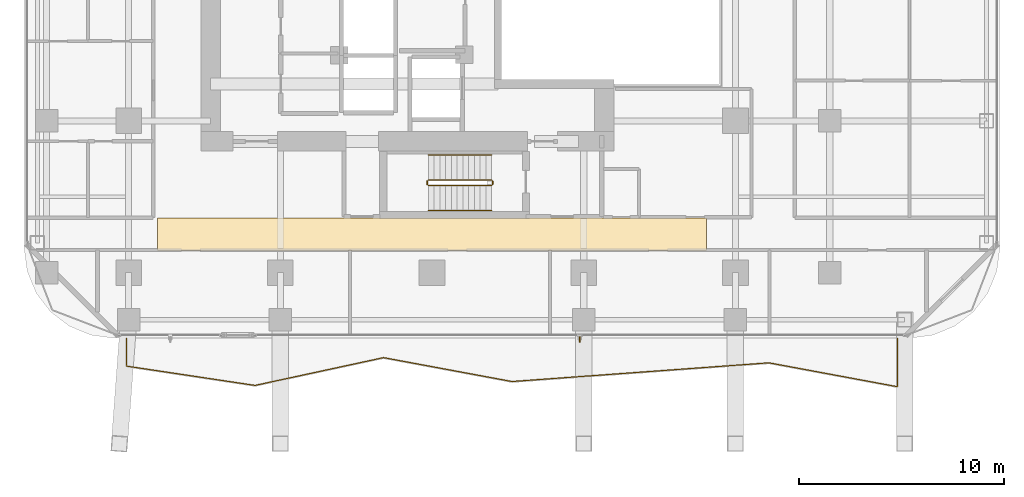
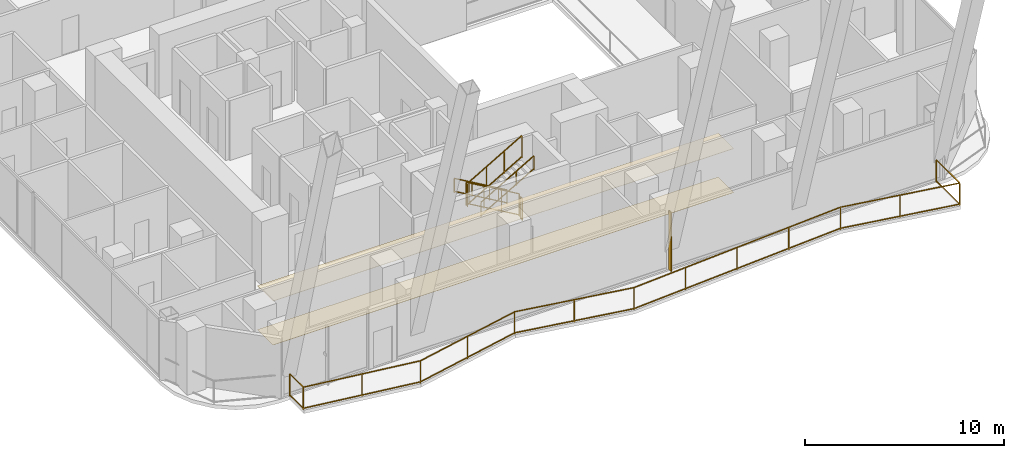
# One storey, part 25 of 30: 7 railings, 2 coverings, 1 shading device.
"""IFC4 building model written with IfcOpenShell, lengths in metres."""

from ifc_helpers import new_model, si_unit, direction, frame, origin, origin_2d, place, context, subcontext, project, spatial, polyline, rectangle, outline, extrude, material, layer, layer_set, type_object, element, save


model = new_model("IFC4")

# Units and contexts
model_context = context("Model", 3, precision=1e-05, world=origin(), true_north=direction((0.0, 1.0)))
body_context = subcontext(model_context, "Body", "Model", "MODEL_VIEW")
ifc_project = project(units=[si_unit("LENGTHUNIT", "METRE"), si_unit("AREAUNIT", "SQUARE_METRE"), si_unit("VOLUMEUNIT", "CUBIC_METRE"), si_unit("PLANEANGLEUNIT", "RADIAN"), si_unit("MASSUNIT", "GRAM", prefix="KILO")], contexts=[model_context])

# Site, building, storey
site_placement = place(None, origin())
site = spatial("IfcSite", under=ifc_project, at=site_placement, CompositionType="ELEMENT")
building_placement = place(site_placement, origin())
building = spatial("IfcBuilding", under=site, at=building_placement, Name="Khorvyn Point Tower", CompositionType="ELEMENT")
storey_placement = place(building_placement, frame((0.0, 0.0, 117.300048828125)))
storey = spatial("IfcBuildingStorey", under=building, at=storey_placement, Name="L29", CompositionType="ELEMENT", Elevation=117.300048828125)

# Railing
ifc_material_1 = material(Name="Anodised aluminium 6063-T6 and laminated safety glass", Category="aluminium")
railing_type_1 = type_object("IfcRailingType", Name="Laminated Glass and Aluminium Balcony Guardrail 1400", PredefinedType="BALUSTRADE", material=ifc_material_1)
railing_1_placement = place(storey_placement, frame((-14.89990234375, -18.0, 0.0)))
element("IfcRailing", 1, at=railing_1_placement, inside=storey, type_object=railing_type_1, Name="L29 South Balcony Guardrail", PredefinedType="BALUSTRADE", context=body_context, shape_type="SweptSolid", body=[
    extrude(rectangle(XDim=0.048095703125, YDim=0.048095703125, at=origin_2d()), frame((0.0, 0.0, 1.3759765625), z_axis=(0.0, -1.0, 0.0), x_axis=(1.0, 0.0, 0.0)), (0.0, 0.0, 1.0), 1.362548828125),
    extrude(rectangle(XDim=0.048095703125, YDim=0.048095703125, at=origin_2d()), frame((0.0, 0.0, 0.080078125), z_axis=(0.0, -1.0, 0.0), x_axis=(1.0, 0.0, 0.0)), (0.0, 0.0, 1.0), 1.362548828125),
    extrude(rectangle(XDim=0.048095703125, YDim=0.048095703125, at=origin_2d()), frame((0.0, -1.362548828125, 1.3759765625), z_axis=(0.988914865266, -0.148483632957, 0.0), x_axis=(0.148483632957, 0.988914865266, 0.0)), (0.0, 0.0, 1.0), 6.3369140625),
    extrude(rectangle(XDim=0.048095703125, YDim=0.048095703125, at=origin_2d()), frame((0.0, -1.362548828125, 0.080078125), z_axis=(0.988914865266, -0.148483632957, 0.0), x_axis=(0.148483632957, 0.988914865266, 0.0)), (0.0, 0.0, 1.0), 6.3369140625),
    extrude(rectangle(XDim=0.048095703125, YDim=0.048095703125, at=origin_2d()), frame((6.2666015625, -2.303466796875, 1.3759765625), z_axis=(0.977405023503, 0.21137506956, 0.0), x_axis=(-0.21137506956, 0.977405023503, 0.0)), (0.0, 0.0, 1.0), 6.411376953125),
    extrude(rectangle(XDim=0.048095703125, YDim=0.048095703125, at=origin_2d()), frame((6.2666015625, -2.303466796875, 0.080078125), z_axis=(0.977405023503, 0.21137506956, 0.0), x_axis=(-0.21137506956, 0.977405023503, 0.0)), (0.0, 0.0, 1.0), 6.411376953125),
    extrude(rectangle(XDim=0.048095703125, YDim=0.048095703125, at=origin_2d()), frame((12.533203125, -0.9482421875, 1.3759765625), z_axis=(0.983139978967, -0.182854537151, 0.0), x_axis=(0.182854537151, 0.983139978967, 0.0)), (0.0, 0.0, 1.0), 6.3740234375),
    extrude(rectangle(XDim=0.048095703125, YDim=0.048095703125, at=origin_2d()), frame((12.533203125, -0.9482421875, 0.080078125), z_axis=(0.983139978967, -0.182854537151, 0.0), x_axis=(0.182854537151, 0.983139978967, 0.0)), (0.0, 0.0, 1.0), 6.3740234375),
    extrude(rectangle(XDim=0.048095703125, YDim=0.048095703125, at=origin_2d()), frame((18.7998046875, -2.11376953125, 1.3759765625), z_axis=(0.997359731635, 0.07261932052, 0.0), x_axis=(-0.07261932052, 0.997359731635, 0.0)), (0.0, 0.0, 1.0), 6.283447265625),
    extrude(rectangle(XDim=0.048095703125, YDim=0.048095703125, at=origin_2d()), frame((18.7998046875, -2.11376953125, 0.080078125), z_axis=(0.997359731635, 0.07261932052, 0.0), x_axis=(-0.07261932052, 0.997359731635, 0.0)), (0.0, 0.0, 1.0), 6.283447265625),
    extrude(rectangle(XDim=0.048095703125, YDim=0.048095703125, at=origin_2d()), frame((25.066650390625, -1.657470703125, 1.3759765625), z_axis=(0.997359526721, 0.072622134776, 0.0), x_axis=(-0.072622134776, 0.997359526721, 0.0)), (0.0, 0.0, 1.0), 6.283203125),
    extrude(rectangle(XDim=0.048095703125, YDim=0.048095703125, at=origin_2d()), frame((25.066650390625, -1.657470703125, 0.080078125), z_axis=(0.997359526721, 0.072622134776, 0.0), x_axis=(-0.072622134776, 0.997359526721, 0.0)), (0.0, 0.0, 1.0), 6.283203125),
    extrude(rectangle(XDim=0.048095703125, YDim=0.048095703125, at=origin_2d()), frame((31.333251953125, -1.201171875, 1.3759765625), z_axis=(0.983139978967, -0.182854537151, 0.0), x_axis=(0.182854537151, 0.983139978967, 0.0)), (0.0, 0.0, 1.0), 6.3740234375),
    extrude(rectangle(XDim=0.048095703125, YDim=0.048095703125, at=origin_2d()), frame((31.333251953125, -1.201171875, 0.080078125), z_axis=(0.983139978967, -0.182854537151, 0.0), x_axis=(0.182854537151, 0.983139978967, 0.0)), (0.0, 0.0, 1.0), 6.3740234375),
    extrude(rectangle(XDim=0.048095703125, YDim=0.048095703125, at=origin_2d()), frame((37.599853515625, -2.36669921875, 1.3759765625), z_axis=(0.0, 1.0, 0.0), x_axis=(-1.0, 0.0, 0.0)), (0.0, 0.0, 1.0), 2.36669921875),
    extrude(rectangle(XDim=0.048095703125, YDim=0.048095703125, at=origin_2d()), frame((37.599853515625, -2.36669921875, 0.080078125), z_axis=(0.0, 1.0, 0.0), x_axis=(-1.0, 0.0, 0.0)), (0.0, 0.0, 1.0), 2.36669921875),
    extrude(rectangle(XDim=0.0419921875, YDim=0.0419921875, at=origin_2d()), origin(), (0.0, 0.0, 1.0), 1.351806640625),
    extrude(rectangle(XDim=0.0419921875, YDim=0.0419921875, at=origin_2d()), frame((0.0, -1.362548828125, 0.0)), (0.0, 0.0, 1.0), 1.351806640625),
    extrude(rectangle(XDim=0.0419921875, YDim=0.0419921875, at=origin_2d()), frame((3.13330078125, -1.8330078125, 0.0)), (0.0, 0.0, 1.0), 1.351806640625),
    extrude(rectangle(XDim=0.0419921875, YDim=0.0419921875, at=origin_2d()), frame((6.2666015625, -2.303466796875, 0.0)), (0.0, 0.0, 1.0), 1.351806640625),
    extrude(rectangle(XDim=0.0419921875, YDim=0.0419921875, at=origin_2d()), frame((9.39990234375, -1.6259765625, 0.0)), (0.0, 0.0, 1.0), 1.351806640625),
    extrude(rectangle(XDim=0.0419921875, YDim=0.0419921875, at=origin_2d()), frame((12.533203125, -0.9482421875, 0.0)), (0.0, 0.0, 1.0), 1.351806640625),
    extrude(rectangle(XDim=0.0419921875, YDim=0.0419921875, at=origin_2d()), frame((15.66650390625, -1.531005859375, 0.0)), (0.0, 0.0, 1.0), 1.351806640625),
    extrude(rectangle(XDim=0.0419921875, YDim=0.0419921875, at=origin_2d()), frame((18.7998046875, -2.11376953125, 0.0)), (0.0, 0.0, 1.0), 1.351806640625),
    extrude(rectangle(XDim=0.0419921875, YDim=0.0419921875, at=origin_2d()), frame((21.93310546875, -1.8857421875, 0.0)), (0.0, 0.0, 1.0), 1.351806640625),
    extrude(rectangle(XDim=0.0419921875, YDim=0.0419921875, at=origin_2d()), frame((25.066650390625, -1.657470703125, 0.0)), (0.0, 0.0, 1.0), 1.351806640625),
    extrude(rectangle(XDim=0.0419921875, YDim=0.0419921875, at=origin_2d()), frame((28.199951171875, -1.42919921875, 0.0)), (0.0, 0.0, 1.0), 1.351806640625),
    extrude(rectangle(XDim=0.0419921875, YDim=0.0419921875, at=origin_2d()), frame((31.333251953125, -1.201171875, 0.0)), (0.0, 0.0, 1.0), 1.351806640625),
    extrude(rectangle(XDim=0.0419921875, YDim=0.0419921875, at=origin_2d()), frame((34.466552734375, -1.783935546875, 0.0)), (0.0, 0.0, 1.0), 1.351806640625),
    extrude(rectangle(XDim=0.0419921875, YDim=0.0419921875, at=origin_2d()), frame((37.599853515625, -2.36669921875, 0.0)), (0.0, 0.0, 1.0), 1.351806640625),
    extrude(rectangle(XDim=0.0419921875, YDim=0.0419921875, at=origin_2d()), frame((37.599853515625, 0.0, 0.0)), (0.0, 0.0, 1.0), 1.351806640625),
])

# Shading device
ifc_material_2 = material(Name="Pale anodised aluminium 6063-T6", Category="aluminium")
ifc_layer_1 = layer(ifc_material_2, 0.054931640625)
ifc_layer_set_1 = layer_set([ifc_layer_1], Name="Pale Anodised Aluminium FIN 260x55")
shading_device_type = type_object("IfcShadingDeviceType", Name="Pale Anodised Aluminium FIN 260x55", PredefinedType="USERDEFINED", material=ifc_layer_set_1)
shading_device_placement = place(storey_placement, frame((7.199462890625, -18.070068359375, 0.039794921875), z_axis=(0.0, 0.0, 1.0), x_axis=(0.0, -1.0, 0.0)))
element("IfcShadingDevice", 2, at=shading_device_placement, inside=storey, type_object=shading_device_type, Name="L29 Anodised FIN 01", ObjectType="FIN", PredefinedType="USERDEFINED", context=body_context, shape_type="SweptSolid", body=[
    extrude(rectangle(XDim=0.260009765625, YDim=0.054931640625, at=origin_2d()), origin(), (0.0, 0.0, 1.0), 3.60009765625),
])

# Coverings
ifc_material_3 = material(Name="Mineral-fibre acoustic ceiling board", Category="gypsum")
ifc_layer_2 = layer(ifc_material_3, 0.02001953125)
ifc_layer_set_2 = layer_set([ifc_layer_2], Name="Perforated Mineral-Fibre Acoustic Suspended Ceiling 20")
covering_type_1 = type_object("IfcCoveringType", Name="Perforated Mineral-Fibre Acoustic Suspended Ceiling 20", PredefinedType="CEILING", material=ifc_layer_set_2)
covering_1_placement = place(storey_placement, frame((0.0, 0.0, 2.699951171875)))
element("IfcCovering", 3, at=covering_1_placement, inside=storey, type_object=covering_type_1, Name="L29 South Corridor Acoustic Ceiling", PredefinedType="CEILING", context=body_context, shape_type="SweptSolid", body=[
    extrude(outline(polyline([(-13.39990234375, -13.7099609375), (13.39990234375, -13.7099609375), (13.39990234375, -12.139892578125), (-13.39990234375, -12.139892578125), (-13.39990234375, -13.7099609375)])), origin(), (0.0, 0.0, 1.0), 0.02001953125),
])
ifc_material_4 = material(Name="Vitrified porcelain terrazzo tile", Category="ceramic")
ifc_layer_3 = layer(ifc_material_4, 0.01806640625)
ifc_layer_set_3 = layer_set([ifc_layer_3], Name="Porcelain Terrazzo Corridor Floor Finish Tile 18")
covering_type_2 = type_object("IfcCoveringType", Name="Porcelain Terrazzo Corridor Floor Finish Tile 18", PredefinedType="FLOORING", material=ifc_layer_set_3)
covering_2_placement = place(storey_placement, origin())
element("IfcCovering", 4, at=covering_2_placement, inside=storey, type_object=covering_type_2, Name="L29 South Corridor Terrazzo Flooring", PredefinedType="FLOORING", context=body_context, shape_type="SweptSolid", body=[
    extrude(outline(polyline([(-13.39990234375, -13.7099609375), (13.39990234375, -13.7099609375), (13.39990234375, -12.139892578125), (-13.39990234375, -12.139892578125), (-13.39990234375, -13.7099609375)])), origin(), (0.0, 0.0, 1.0), 0.01806640625),
])

# Railings
ifc_material_5 = material(Name="Stainless steel 1.4301", Category="steel")
railing_type_2 = type_object("IfcRailingType", Name="Stainless Steel 304 Stair Pitch Handrail 900", PredefinedType="HANDRAIL", material=ifc_material_5)
railing_2_placement = place(storey_placement, frame((2.89990234375, -9.070068359375, 0.162353515625)))
element("IfcRailing", 5, at=railing_2_placement, inside=storey, type_object=railing_type_2, Name="L29 ST-01 stair handrail 1", PredefinedType="HANDRAIL", context=body_context, shape_type="SweptSolid", body=[
    extrude(rectangle(XDim=0.048095703125, YDim=0.048095703125, at=origin_2d()), frame((0.0, 0.0, 0.8759765625), z_axis=(-0.864873446163, 0.0, 0.501989962173), x_axis=(0.0, -1.0, 0.0)), (0.0, 0.0, 1.0), 3.56103515625),
    extrude(rectangle(XDim=0.048095703125, YDim=0.048095703125, at=origin_2d()), frame((0.0, 0.0, 0.080078125), z_axis=(-0.864873446163, 0.0, 0.501989962173), x_axis=(0.0, -1.0, 0.0)), (0.0, 0.0, 1.0), 3.56103515625),
    extrude(rectangle(XDim=0.0419921875, YDim=0.0419921875, at=origin_2d()), origin(), (0.0, 0.0, 1.0), 0.851806640625),
    extrude(rectangle(XDim=0.0419921875, YDim=0.0419921875, at=origin_2d()), frame((-1.026611328125, 0.0, 0.595947265625)), (0.0, 0.0, 1.0), 0.851806640625),
    extrude(rectangle(XDim=0.0419921875, YDim=0.0419921875, at=origin_2d()), frame((-2.05322265625, 0.0, 1.191650390625)), (0.0, 0.0, 1.0), 0.851806640625),
    extrude(rectangle(XDim=0.0419921875, YDim=0.0419921875, at=origin_2d()), frame((-3.079833984375, 0.0, 1.78759765625)), (0.0, 0.0, 1.0), 0.851806640625),
])
railing_3_placement = place(storey_placement, frame((-0.179931640625, -11.77001953125, 2.112548828125)))
element("IfcRailing", 6, at=railing_3_placement, inside=storey, type_object=railing_type_2, Name="L29 ST-01 stair handrail 2", PredefinedType="HANDRAIL", context=body_context, shape_type="SweptSolid", body=[
    extrude(rectangle(XDim=0.048095703125, YDim=0.048095703125, at=origin_2d()), frame((0.0, 0.0, 0.8759765625), z_axis=(0.864903211148, 0.0, 0.501938676878), x_axis=(0.0, 1.0, 0.0)), (0.0, 0.0, 1.0), 3.560791015625),
    extrude(rectangle(XDim=0.048095703125, YDim=0.048095703125, at=origin_2d()), frame((0.0, 0.0, 0.080078125), z_axis=(0.864903211148, 0.0, 0.501938676878), x_axis=(0.0, 1.0, 0.0)), (0.0, 0.0, 1.0), 3.560791015625),
    extrude(rectangle(XDim=0.0419921875, YDim=0.0419921875, at=origin_2d()), origin(), (0.0, 0.0, 1.0), 0.851806640625),
    extrude(rectangle(XDim=0.0419921875, YDim=0.0419921875, at=origin_2d()), frame((1.026611328125, 0.0, 0.595703125)), (0.0, 0.0, 1.0), 0.851806640625),
    extrude(rectangle(XDim=0.0419921875, YDim=0.0419921875, at=origin_2d()), frame((2.05322265625, 0.0, 1.191650390625)), (0.0, 0.0, 1.0), 0.851806640625),
    extrude(rectangle(XDim=0.0419921875, YDim=0.0419921875, at=origin_2d()), frame((3.079833984375, 0.0, 1.787353515625)), (0.0, 0.0, 1.0), 0.851806640625),
])
railing_type_3 = type_object("IfcRailingType", Name="Stainless Steel 304 Stair Well Guardrail 1400", PredefinedType="GUARDRAIL", material=ifc_material_5)
railing_4_placement = place(storey_placement, frame((2.89990234375, -10.2900390625, 0.162353515625)))
element("IfcRailing", 7, at=railing_4_placement, inside=storey, type_object=railing_type_3, Name="L29 ST-01 stair guard 1", PredefinedType="GUARDRAIL", context=body_context, shape_type="SweptSolid", body=[
    extrude(rectangle(XDim=0.048095703125, YDim=0.048095703125, at=origin_2d()), frame((0.0, 0.0, 1.3759765625), z_axis=(-0.864873446163, 0.0, 0.501989962173), x_axis=(0.0, -1.0, 0.0)), (0.0, 0.0, 1.0), 3.56103515625),
    extrude(rectangle(XDim=0.048095703125, YDim=0.048095703125, at=origin_2d()), frame((0.0, 0.0, 0.080078125), z_axis=(-0.864873446163, 0.0, 0.501989962173), x_axis=(0.0, -1.0, 0.0)), (0.0, 0.0, 1.0), 3.56103515625),
    extrude(rectangle(XDim=0.0419921875, YDim=0.0419921875, at=origin_2d()), origin(), (0.0, 0.0, 1.0), 1.351806640625),
    extrude(rectangle(XDim=0.0419921875, YDim=0.0419921875, at=origin_2d()), frame((-1.026611328125, 0.0, 0.595947265625)), (0.0, 0.0, 1.0), 1.351806640625),
    extrude(rectangle(XDim=0.0419921875, YDim=0.0419921875, at=origin_2d()), frame((-2.05322265625, 0.0, 1.191650390625)), (0.0, 0.0, 1.0), 1.351806640625),
    extrude(rectangle(XDim=0.0419921875, YDim=0.0419921875, at=origin_2d()), frame((-3.079833984375, 0.0, 1.78759765625)), (0.0, 0.0, 1.0), 1.351806640625),
])
railing_5_placement = place(storey_placement, frame((-0.22998046875, -10.340087890625, 1.949951171875)))
element("IfcRailing", 8, at=railing_5_placement, inside=storey, type_object=railing_type_3, Name="L29 ST-01 stair guard 2", PredefinedType="GUARDRAIL", context=body_context, shape_type="SweptSolid", body=[
    extrude(rectangle(XDim=0.048095703125, YDim=0.048095703125, at=origin_2d()), frame((0.0, 0.0, 1.3759765625), z_axis=(0.0, -1.0, 0.0), x_axis=(1.0, 0.0, 0.0)), (0.0, 0.0, 1.0), 0.159912109375),
    extrude(rectangle(XDim=0.048095703125, YDim=0.048095703125, at=origin_2d()), frame((0.0, 0.0, 0.080078125), z_axis=(0.0, -1.0, 0.0), x_axis=(1.0, 0.0, 0.0)), (0.0, 0.0, 1.0), 0.159912109375),
    extrude(rectangle(XDim=0.0419921875, YDim=0.0419921875, at=origin_2d()), origin(), (0.0, 0.0, 1.0), 1.351806640625),
    extrude(rectangle(XDim=0.0419921875, YDim=0.0419921875, at=origin_2d()), frame((0.0, -0.159912109375, 0.0)), (0.0, 0.0, 1.0), 1.351806640625),
])
railing_6_placement = place(storey_placement, frame((-0.179931640625, -10.550048828125, 2.112548828125)))
element("IfcRailing", 9, at=railing_6_placement, inside=storey, type_object=railing_type_3, Name="L29 ST-01 stair guard 3", PredefinedType="GUARDRAIL", context=body_context, shape_type="SweptSolid", body=[
    extrude(rectangle(XDim=0.048095703125, YDim=0.048095703125, at=origin_2d()), frame((0.0, 0.0, 1.3759765625), z_axis=(0.864903211148, 0.0, 0.501938676878), x_axis=(0.0, 1.0, 0.0)), (0.0, 0.0, 1.0), 3.560791015625),
    extrude(rectangle(XDim=0.048095703125, YDim=0.048095703125, at=origin_2d()), frame((0.0, 0.0, 0.080078125), z_axis=(0.864903211148, 0.0, 0.501938676878), x_axis=(0.0, 1.0, 0.0)), (0.0, 0.0, 1.0), 3.560791015625),
    extrude(rectangle(XDim=0.0419921875, YDim=0.0419921875, at=origin_2d()), origin(), (0.0, 0.0, 1.0), 1.351806640625),
    extrude(rectangle(XDim=0.0419921875, YDim=0.0419921875, at=origin_2d()), frame((1.026611328125, 0.0, 0.595703125)), (0.0, 0.0, 1.0), 1.351806640625),
    extrude(rectangle(XDim=0.0419921875, YDim=0.0419921875, at=origin_2d()), frame((2.05322265625, 0.0, 1.191650390625)), (0.0, 0.0, 1.0), 1.351806640625),
    extrude(rectangle(XDim=0.0419921875, YDim=0.0419921875, at=origin_2d()), frame((3.079833984375, 0.0, 1.787353515625)), (0.0, 0.0, 1.0), 1.351806640625),
])
railing_7_placement = place(storey_placement, frame((2.949951171875, -10.340087890625, 0.0)))
element("IfcRailing", 10, at=railing_7_placement, inside=storey, type_object=railing_type_3, Name="L29 ST-01 stair guard 4", PredefinedType="GUARDRAIL", context=body_context, shape_type="SweptSolid", body=[
    extrude(rectangle(XDim=0.048095703125, YDim=0.048095703125, at=origin_2d()), frame((0.0, 0.0, 1.3759765625), z_axis=(0.0, -1.0, 0.0), x_axis=(1.0, 0.0, 0.0)), (0.0, 0.0, 1.0), 0.159912109375),
    extrude(rectangle(XDim=0.048095703125, YDim=0.048095703125, at=origin_2d()), frame((0.0, 0.0, 0.080078125), z_axis=(0.0, -1.0, 0.0), x_axis=(1.0, 0.0, 0.0)), (0.0, 0.0, 1.0), 0.159912109375),
    extrude(rectangle(XDim=0.0419921875, YDim=0.0419921875, at=origin_2d()), origin(), (0.0, 0.0, 1.0), 1.351806640625),
    extrude(rectangle(XDim=0.0419921875, YDim=0.0419921875, at=origin_2d()), frame((0.0, -0.159912109375, 0.0)), (0.0, 0.0, 1.0), 1.351806640625),
])

save(model, "model.ifc")
